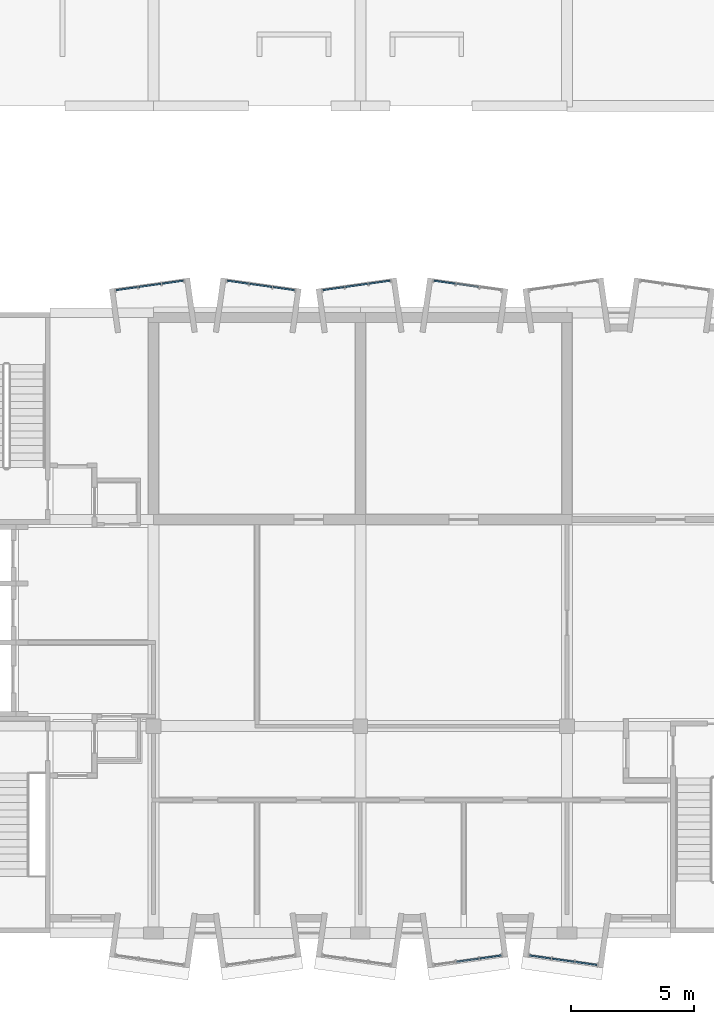
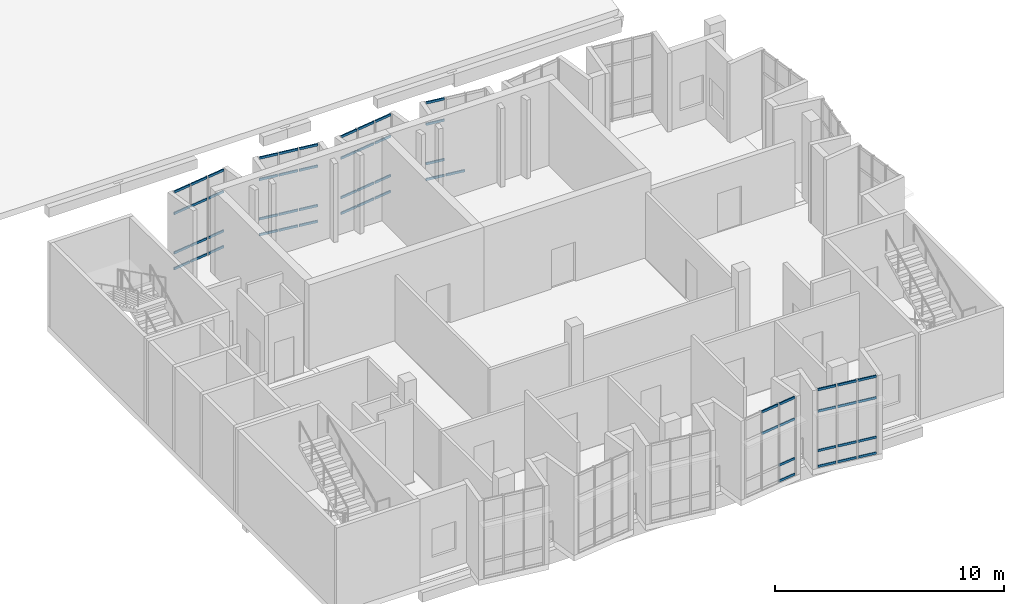
# One storey, part 6 of 19: 59 members, 6 elements without a shape of their own.
"""IFC4 building model written with IfcOpenShell, lengths in metres."""

from ifc_helpers import new_model, si_unit, direction, frame, origin, origin_2d, place, context, subcontext, project, spatial, rectangle, extrude, material, layer, layer_set, material_profile, profile_set, type_object, element, aggregate, save


model = new_model("IFC4")

# Units and contexts
model_context = context("Model", 3, precision=1e-05, world=origin(), true_north=direction((0.0, 1.0)))
body_context = subcontext(model_context, "Body", "Model", "MODEL_VIEW")
ifc_project = project(units=[si_unit("LENGTHUNIT", "METRE"), si_unit("AREAUNIT", "SQUARE_METRE"), si_unit("VOLUMEUNIT", "CUBIC_METRE"), si_unit("PLANEANGLEUNIT", "RADIAN"), si_unit("MASSUNIT", "GRAM", prefix="KILO")], contexts=[model_context])

# Site, building, storey
site_placement = place(None, origin())
site = spatial("IfcSite", under=ifc_project, at=site_placement, CompositionType="ELEMENT")
building_placement = place(site_placement, origin())
building = spatial("IfcBuilding", under=site, at=building_placement, Name="Kiln Court Media Centre", CompositionType="ELEMENT")
storey_placement = place(building_placement, frame((0.0, 0.0, 29.10009765625)))
storey = spatial("IfcBuildingStorey", under=building, at=storey_placement, Name="L06", CompositionType="ELEMENT", Elevation=29.10009765625)

# Curtain wall, members
ifc_material_1 = material(Name="Aluminium 6063-T6", Category="aluminium")
ifc_layer = layer(ifc_material_1, 0.1201171875)
ifc_layer_set = layer_set([ifc_layer], Name="Aluminium unitised bay curtain wall")
curtain_wall_type = type_object("IfcCurtainWallType", Name="Aluminium unitised bay curtain wall", PredefinedType="USERDEFINED", material=ifc_layer_set)
curtain_wall_1_placement = place(storey_placement, origin())
curtain_wall_1 = element("IfcCurtainWall", 1, at=curtain_wall_1_placement, inside=storey, type_object=curtain_wall_type, Name="BAY V6A-N-L06-38 front", ObjectType="UNITISED CURTAIN WALL", PredefinedType="USERDEFINED")
ifc_material_2 = material(Name="Aluminium 6063-T6", Category="aluminium")
ifc_material_profile = material_profile(ifc_material_2, rectangle(XDim=0.06005859375, YDim=0.1201171875, at=origin_2d()), Name="Aluminium transom 60x120")
ifc_profile_set = profile_set([ifc_material_profile], Name="Aluminium 6063-T6")
member_type = type_object("IfcMemberType", Name="Aluminium transom 60x120", PredefinedType="USERDEFINED", material=ifc_profile_set)
member_1_placement = place(storey_placement, frame((6.882568359375, 26.11767578125, 0.059814453125), z_axis=(0.990268108888, 0.139172815303, 0.0), x_axis=(-0.139172815303, 0.990268108888, 0.0)))
member_1 = element("IfcMember", 2, at=member_1_placement, type_object=member_type, Name="CW6-04 transom 1.1", ObjectType="TRANSOM", PredefinedType="USERDEFINED", context=body_context, shape_type="SweptSolid", body=[
    extrude(rectangle(XDim=0.06005859375, YDim=0.1201171875, at=origin_2d()), origin(), (0.0, 0.0, 1.0), 0.86669921875),
])
member_2_placement = place(storey_placement, frame((6.882568359375, 26.11767578125, 0.89990234375), z_axis=(0.990268108888, 0.139172815303, 0.0), x_axis=(-0.139172815303, 0.990268108888, 0.0)))
member_2 = element("IfcMember", 3, at=member_2_placement, type_object=member_type, Name="CW6-04 transom 1.2", ObjectType="TRANSOM", PredefinedType="USERDEFINED", context=body_context, shape_type="SweptSolid", body=[
    extrude(rectangle(XDim=0.06005859375, YDim=0.1201171875, at=origin_2d()), origin(), (0.0, 0.0, 1.0), 0.86669921875),
])
member_3_placement = place(storey_placement, frame((6.882568359375, 26.11767578125, 3.0), z_axis=(0.990268108888, 0.139172815303, 0.0), x_axis=(-0.139172815303, 0.990268108888, 0.0)))
member_3 = element("IfcMember", 4, at=member_3_placement, type_object=member_type, Name="CW6-04 transom 1.3", ObjectType="TRANSOM", PredefinedType="USERDEFINED", context=body_context, shape_type="SweptSolid", body=[
    extrude(rectangle(XDim=0.06005859375, YDim=0.1201171875, at=origin_2d()), origin(), (0.0, 0.0, 1.0), 0.86669921875),
])
member_4_placement = place(storey_placement, frame((6.882568359375, 26.11767578125, 4.139892578125), z_axis=(0.990268108888, 0.139172815303, 0.0), x_axis=(-0.139172815303, 0.990268108888, 0.0)))
member_4 = element("IfcMember", 5, at=member_4_placement, type_object=member_type, Name="CW6-04 transom 1.4", ObjectType="TRANSOM", PredefinedType="USERDEFINED", context=body_context, shape_type="SweptSolid", body=[
    extrude(rectangle(XDim=0.06005859375, YDim=0.1201171875, at=origin_2d()), origin(), (0.0, 0.0, 1.0), 0.86669921875),
])
member_5_placement = place(storey_placement, frame((7.80029296875, 26.246826171875, 0.059814453125), z_axis=(0.990273584723, 0.13913384707, 0.0), x_axis=(-0.13913384707, 0.990273584723, 0.0)))
member_5 = element("IfcMember", 6, at=member_5_placement, type_object=member_type, Name="CW6-04 transom 2.1", ObjectType="TRANSOM", PredefinedType="USERDEFINED", context=body_context, shape_type="SweptSolid", body=[
    extrude(rectangle(XDim=0.06005859375, YDim=0.1201171875, at=origin_2d()), origin(), (0.0, 0.0, 1.0), 0.896728515625),
])
member_6_placement = place(storey_placement, frame((7.80029296875, 26.246826171875, 0.89990234375), z_axis=(0.990273584723, 0.13913384707, 0.0), x_axis=(-0.13913384707, 0.990273584723, 0.0)))
member_6 = element("IfcMember", 7, at=member_6_placement, type_object=member_type, Name="CW6-04 transom 2.2", ObjectType="TRANSOM", PredefinedType="USERDEFINED", context=body_context, shape_type="SweptSolid", body=[
    extrude(rectangle(XDim=0.06005859375, YDim=0.1201171875, at=origin_2d()), origin(), (0.0, 0.0, 1.0), 0.896728515625),
])
member_7_placement = place(storey_placement, frame((7.80029296875, 26.246826171875, 3.0), z_axis=(0.990273584723, 0.13913384707, 0.0), x_axis=(-0.13913384707, 0.990273584723, 0.0)))
member_7 = element("IfcMember", 8, at=member_7_placement, type_object=member_type, Name="CW6-04 transom 2.3", ObjectType="TRANSOM", PredefinedType="USERDEFINED", context=body_context, shape_type="SweptSolid", body=[
    extrude(rectangle(XDim=0.06005859375, YDim=0.1201171875, at=origin_2d()), origin(), (0.0, 0.0, 1.0), 0.896728515625),
])
member_8_placement = place(storey_placement, frame((7.80029296875, 26.246826171875, 4.139892578125), z_axis=(0.990273584723, 0.13913384707, 0.0), x_axis=(-0.13913384707, 0.990273584723, 0.0)))
member_8 = element("IfcMember", 9, at=member_8_placement, type_object=member_type, Name="CW6-04 transom 2.4", ObjectType="TRANSOM", PredefinedType="USERDEFINED", context=body_context, shape_type="SweptSolid", body=[
    extrude(rectangle(XDim=0.06005859375, YDim=0.1201171875, at=origin_2d()), origin(), (0.0, 0.0, 1.0), 0.896728515625),
])
member_9_placement = place(storey_placement, frame((8.74755859375, 26.3798828125, 0.059814453125), z_axis=(0.990268108888, 0.139172815303, 0.0), x_axis=(-0.139172815303, 0.990268108888, 0.0)))
member_9 = element("IfcMember", 10, at=member_9_placement, type_object=member_type, Name="CW6-04 transom 3.1", ObjectType="TRANSOM", PredefinedType="USERDEFINED", context=body_context, shape_type="SweptSolid", body=[
    extrude(rectangle(XDim=0.06005859375, YDim=0.1201171875, at=origin_2d()), origin(), (0.0, 0.0, 1.0), 0.86669921875),
])
member_10_placement = place(storey_placement, frame((8.74755859375, 26.3798828125, 0.89990234375), z_axis=(0.990268108888, 0.139172815303, 0.0), x_axis=(-0.139172815303, 0.990268108888, 0.0)))
member_10 = element("IfcMember", 11, at=member_10_placement, type_object=member_type, Name="CW6-04 transom 3.2", ObjectType="TRANSOM", PredefinedType="USERDEFINED", context=body_context, shape_type="SweptSolid", body=[
    extrude(rectangle(XDim=0.06005859375, YDim=0.1201171875, at=origin_2d()), origin(), (0.0, 0.0, 1.0), 0.86669921875),
])
member_11_placement = place(storey_placement, frame((8.74755859375, 26.3798828125, 3.0), z_axis=(0.990268108888, 0.139172815303, 0.0), x_axis=(-0.139172815303, 0.990268108888, 0.0)))
member_11 = element("IfcMember", 12, at=member_11_placement, type_object=member_type, Name="CW6-04 transom 3.3", ObjectType="TRANSOM", PredefinedType="USERDEFINED", context=body_context, shape_type="SweptSolid", body=[
    extrude(rectangle(XDim=0.06005859375, YDim=0.1201171875, at=origin_2d()), origin(), (0.0, 0.0, 1.0), 0.86669921875),
])
member_12_placement = place(storey_placement, frame((8.74755859375, 26.3798828125, 4.139892578125), z_axis=(0.990268108888, 0.139172815303, 0.0), x_axis=(-0.139172815303, 0.990268108888, 0.0)))
member_12 = element("IfcMember", 13, at=member_12_placement, type_object=member_type, Name="CW6-04 transom 3.4", ObjectType="TRANSOM", PredefinedType="USERDEFINED", context=body_context, shape_type="SweptSolid", body=[
    extrude(rectangle(XDim=0.06005859375, YDim=0.1201171875, at=origin_2d()), origin(), (0.0, 0.0, 1.0), 0.86669921875),
])
aggregate(curtain_wall_1, [member_1, member_2, member_3, member_4, member_5, member_6, member_7, member_8, member_9, member_10, member_11, member_12])

curtain_wall_2_placement = place(storey_placement, origin())
curtain_wall_2 = element("IfcCurtainWall", 14, at=curtain_wall_2_placement, inside=storey, type_object=curtain_wall_type, Name="BAY V6A-N-L06-39 front", ObjectType="UNITISED CURTAIN WALL", PredefinedType="USERDEFINED")
member_13_placement = place(storey_placement, frame((11.394287109375, 26.50048828125, 0.059814453125), z_axis=(0.990268108888, -0.139172815303, 0.0), x_axis=(0.139172815303, 0.990268108888, 0.0)))
member_13 = element("IfcMember", 15, at=member_13_placement, type_object=member_type, Name="CW6-05 transom 1.1", ObjectType="TRANSOM", PredefinedType="USERDEFINED", context=body_context, shape_type="SweptSolid", body=[
    extrude(rectangle(XDim=0.06005859375, YDim=0.1201171875, at=origin_2d()), origin(), (0.0, 0.0, 1.0), 0.86669921875),
])
member_14_placement = place(storey_placement, frame((11.394287109375, 26.50048828125, 0.89990234375), z_axis=(0.990268108888, -0.139172815303, 0.0), x_axis=(0.139172815303, 0.990268108888, 0.0)))
member_14 = element("IfcMember", 16, at=member_14_placement, type_object=member_type, Name="CW6-05 transom 1.2", ObjectType="TRANSOM", PredefinedType="USERDEFINED", context=body_context, shape_type="SweptSolid", body=[
    extrude(rectangle(XDim=0.06005859375, YDim=0.1201171875, at=origin_2d()), origin(), (0.0, 0.0, 1.0), 0.86669921875),
])
member_15_placement = place(storey_placement, frame((11.394287109375, 26.50048828125, 3.0), z_axis=(0.990268108888, -0.139172815303, 0.0), x_axis=(0.139172815303, 0.990268108888, 0.0)))
member_15 = element("IfcMember", 17, at=member_15_placement, type_object=member_type, Name="CW6-05 transom 1.3", ObjectType="TRANSOM", PredefinedType="USERDEFINED", context=body_context, shape_type="SweptSolid", body=[
    extrude(rectangle(XDim=0.06005859375, YDim=0.1201171875, at=origin_2d()), origin(), (0.0, 0.0, 1.0), 0.86669921875),
])
member_16_placement = place(storey_placement, frame((11.394287109375, 26.50048828125, 4.139892578125), z_axis=(0.990268108888, -0.139172815303, 0.0), x_axis=(0.139172815303, 0.990268108888, 0.0)))
member_16 = element("IfcMember", 18, at=member_16_placement, type_object=member_type, Name="CW6-05 transom 1.4", ObjectType="TRANSOM", PredefinedType="USERDEFINED", context=body_context, shape_type="SweptSolid", body=[
    extrude(rectangle(XDim=0.06005859375, YDim=0.1201171875, at=origin_2d()), origin(), (0.0, 0.0, 1.0), 0.86669921875),
])
member_17_placement = place(storey_placement, frame((12.311767578125, 26.37158203125, 0.059814453125), z_axis=(0.990273584723, -0.13913384707, 0.0), x_axis=(0.13913384707, 0.990273584723, 0.0)))
member_17 = element("IfcMember", 19, at=member_17_placement, type_object=member_type, Name="CW6-05 transom 2.1", ObjectType="TRANSOM", PredefinedType="USERDEFINED", context=body_context, shape_type="SweptSolid", body=[
    extrude(rectangle(XDim=0.06005859375, YDim=0.1201171875, at=origin_2d()), origin(), (0.0, 0.0, 1.0), 0.896728515625),
])
member_18_placement = place(storey_placement, frame((12.311767578125, 26.37158203125, 0.89990234375), z_axis=(0.990273584723, -0.13913384707, 0.0), x_axis=(0.13913384707, 0.990273584723, 0.0)))
member_18 = element("IfcMember", 20, at=member_18_placement, type_object=member_type, Name="CW6-05 transom 2.2", ObjectType="TRANSOM", PredefinedType="USERDEFINED", context=body_context, shape_type="SweptSolid", body=[
    extrude(rectangle(XDim=0.06005859375, YDim=0.1201171875, at=origin_2d()), origin(), (0.0, 0.0, 1.0), 0.896728515625),
])
member_19_placement = place(storey_placement, frame((12.311767578125, 26.37158203125, 3.0), z_axis=(0.990273584723, -0.13913384707, 0.0), x_axis=(0.13913384707, 0.990273584723, 0.0)))
member_19 = element("IfcMember", 21, at=member_19_placement, type_object=member_type, Name="CW6-05 transom 2.3", ObjectType="TRANSOM", PredefinedType="USERDEFINED", context=body_context, shape_type="SweptSolid", body=[
    extrude(rectangle(XDim=0.06005859375, YDim=0.1201171875, at=origin_2d()), origin(), (0.0, 0.0, 1.0), 0.896728515625),
])
member_20_placement = place(storey_placement, frame((12.311767578125, 26.37158203125, 4.139892578125), z_axis=(0.990273584723, -0.13913384707, 0.0), x_axis=(0.13913384707, 0.990273584723, 0.0)))
member_20 = element("IfcMember", 22, at=member_20_placement, type_object=member_type, Name="CW6-05 transom 2.4", ObjectType="TRANSOM", PredefinedType="USERDEFINED", context=body_context, shape_type="SweptSolid", body=[
    extrude(rectangle(XDim=0.06005859375, YDim=0.1201171875, at=origin_2d()), origin(), (0.0, 0.0, 1.0), 0.896728515625),
])
member_21_placement = place(storey_placement, frame((13.25927734375, 26.23828125, 0.059814453125), z_axis=(0.990268108888, -0.139172815303, 0.0), x_axis=(0.139172815303, 0.990268108888, 0.0)))
member_21 = element("IfcMember", 23, at=member_21_placement, type_object=member_type, Name="CW6-05 transom 3.1", ObjectType="TRANSOM", PredefinedType="USERDEFINED", context=body_context, shape_type="SweptSolid", body=[
    extrude(rectangle(XDim=0.06005859375, YDim=0.1201171875, at=origin_2d()), origin(), (0.0, 0.0, 1.0), 0.86669921875),
])
member_22_placement = place(storey_placement, frame((13.25927734375, 26.23828125, 0.89990234375), z_axis=(0.990268108888, -0.139172815303, 0.0), x_axis=(0.139172815303, 0.990268108888, 0.0)))
member_22 = element("IfcMember", 24, at=member_22_placement, type_object=member_type, Name="CW6-05 transom 3.2", ObjectType="TRANSOM", PredefinedType="USERDEFINED", context=body_context, shape_type="SweptSolid", body=[
    extrude(rectangle(XDim=0.06005859375, YDim=0.1201171875, at=origin_2d()), origin(), (0.0, 0.0, 1.0), 0.86669921875),
])
member_23_placement = place(storey_placement, frame((13.25927734375, 26.23828125, 3.0), z_axis=(0.990268108888, -0.139172815303, 0.0), x_axis=(0.139172815303, 0.990268108888, 0.0)))
member_23 = element("IfcMember", 25, at=member_23_placement, type_object=member_type, Name="CW6-05 transom 3.3", ObjectType="TRANSOM", PredefinedType="USERDEFINED", context=body_context, shape_type="SweptSolid", body=[
    extrude(rectangle(XDim=0.06005859375, YDim=0.1201171875, at=origin_2d()), origin(), (0.0, 0.0, 1.0), 0.86669921875),
])
member_24_placement = place(storey_placement, frame((13.25927734375, 26.23828125, 4.139892578125), z_axis=(0.990268108888, -0.139172815303, 0.0), x_axis=(0.139172815303, 0.990268108888, 0.0)))
member_24 = element("IfcMember", 26, at=member_24_placement, type_object=member_type, Name="CW6-05 transom 3.4", ObjectType="TRANSOM", PredefinedType="USERDEFINED", context=body_context, shape_type="SweptSolid", body=[
    extrude(rectangle(XDim=0.06005859375, YDim=0.1201171875, at=origin_2d()), origin(), (0.0, 0.0, 1.0), 0.86669921875),
])
aggregate(curtain_wall_2, [member_13, member_14, member_15, member_16, member_17, member_18, member_19, member_20, member_21, member_22, member_23, member_24])

curtain_wall_3_placement = place(storey_placement, origin())
curtain_wall_3 = element("IfcCurtainWall", 27, at=curtain_wall_3_placement, inside=storey, type_object=curtain_wall_type, Name="BAY V6A-N-L06-40 front", ObjectType="UNITISED CURTAIN WALL", PredefinedType="USERDEFINED")
member_25_placement = place(storey_placement, frame((15.282470703125, 26.11767578125, 0.059814453125), z_axis=(0.990273563383, 0.139133998951, 0.0), x_axis=(-0.139133998951, 0.990273563383, 0.0)))
member_25 = element("IfcMember", 28, at=member_25_placement, type_object=member_type, Name="CW6-06 transom 1.1", ObjectType="TRANSOM", PredefinedType="USERDEFINED", context=body_context, shape_type="SweptSolid", body=[
    extrude(rectangle(XDim=0.06005859375, YDim=0.1201171875, at=origin_2d()), origin(), (0.0, 0.0, 1.0), 0.866943359375),
])
member_26_placement = place(storey_placement, frame((15.282470703125, 26.11767578125, 0.89990234375), z_axis=(0.990273563383, 0.139133998951, 0.0), x_axis=(-0.139133998951, 0.990273563383, 0.0)))
member_26 = element("IfcMember", 29, at=member_26_placement, type_object=member_type, Name="CW6-06 transom 1.2", ObjectType="TRANSOM", PredefinedType="USERDEFINED", context=body_context, shape_type="SweptSolid", body=[
    extrude(rectangle(XDim=0.06005859375, YDim=0.1201171875, at=origin_2d()), origin(), (0.0, 0.0, 1.0), 0.866943359375),
])
member_27_placement = place(storey_placement, frame((15.282470703125, 26.11767578125, 3.0), z_axis=(0.990273563383, 0.139133998951, 0.0), x_axis=(-0.139133998951, 0.990273563383, 0.0)))
member_27 = element("IfcMember", 30, at=member_27_placement, type_object=member_type, Name="CW6-06 transom 1.3", ObjectType="TRANSOM", PredefinedType="USERDEFINED", context=body_context, shape_type="SweptSolid", body=[
    extrude(rectangle(XDim=0.06005859375, YDim=0.1201171875, at=origin_2d()), origin(), (0.0, 0.0, 1.0), 0.866943359375),
])
member_28_placement = place(storey_placement, frame((15.282470703125, 26.11767578125, 4.139892578125), z_axis=(0.990273563383, 0.139133998951, 0.0), x_axis=(-0.139133998951, 0.990273563383, 0.0)))
member_28 = element("IfcMember", 31, at=member_28_placement, type_object=member_type, Name="CW6-06 transom 1.4", ObjectType="TRANSOM", PredefinedType="USERDEFINED", context=body_context, shape_type="SweptSolid", body=[
    extrude(rectangle(XDim=0.06005859375, YDim=0.1201171875, at=origin_2d()), origin(), (0.0, 0.0, 1.0), 0.866943359375),
])
member_29_placement = place(storey_placement, frame((16.2001953125, 26.246826171875, 0.059814453125), z_axis=(0.990273584723, 0.13913384707, 0.0), x_axis=(-0.13913384707, 0.990273584723, 0.0)))
member_29 = element("IfcMember", 32, at=member_29_placement, type_object=member_type, Name="CW6-06 transom 2.1", ObjectType="TRANSOM", PredefinedType="USERDEFINED", context=body_context, shape_type="SweptSolid", body=[
    extrude(rectangle(XDim=0.06005859375, YDim=0.1201171875, at=origin_2d()), origin(), (0.0, 0.0, 1.0), 0.896728515625),
])
member_30_placement = place(storey_placement, frame((16.2001953125, 26.246826171875, 0.89990234375), z_axis=(0.990273584723, 0.13913384707, 0.0), x_axis=(-0.13913384707, 0.990273584723, 0.0)))
member_30 = element("IfcMember", 33, at=member_30_placement, type_object=member_type, Name="CW6-06 transom 2.2", ObjectType="TRANSOM", PredefinedType="USERDEFINED", context=body_context, shape_type="SweptSolid", body=[
    extrude(rectangle(XDim=0.06005859375, YDim=0.1201171875, at=origin_2d()), origin(), (0.0, 0.0, 1.0), 0.896728515625),
])
member_31_placement = place(storey_placement, frame((16.2001953125, 26.246826171875, 3.0), z_axis=(0.990273584723, 0.13913384707, 0.0), x_axis=(-0.13913384707, 0.990273584723, 0.0)))
member_31 = element("IfcMember", 34, at=member_31_placement, type_object=member_type, Name="CW6-06 transom 2.3", ObjectType="TRANSOM", PredefinedType="USERDEFINED", context=body_context, shape_type="SweptSolid", body=[
    extrude(rectangle(XDim=0.06005859375, YDim=0.1201171875, at=origin_2d()), origin(), (0.0, 0.0, 1.0), 0.896728515625),
])
member_32_placement = place(storey_placement, frame((16.2001953125, 26.246826171875, 4.139892578125), z_axis=(0.990273584723, 0.13913384707, 0.0), x_axis=(-0.13913384707, 0.990273584723, 0.0)))
member_32 = element("IfcMember", 35, at=member_32_placement, type_object=member_type, Name="CW6-06 transom 2.4", ObjectType="TRANSOM", PredefinedType="USERDEFINED", context=body_context, shape_type="SweptSolid", body=[
    extrude(rectangle(XDim=0.06005859375, YDim=0.1201171875, at=origin_2d()), origin(), (0.0, 0.0, 1.0), 0.896728515625),
])
member_33_placement = place(storey_placement, frame((17.1474609375, 26.3798828125, 0.059814453125), z_axis=(0.990273563383, 0.139133998951, 0.0), x_axis=(-0.139133998951, 0.990273563383, 0.0)))
member_33 = element("IfcMember", 36, at=member_33_placement, type_object=member_type, Name="CW6-06 transom 3.1", ObjectType="TRANSOM", PredefinedType="USERDEFINED", context=body_context, shape_type="SweptSolid", body=[
    extrude(rectangle(XDim=0.06005859375, YDim=0.1201171875, at=origin_2d()), origin(), (0.0, 0.0, 1.0), 0.866943359375),
])
member_34_placement = place(storey_placement, frame((17.1474609375, 26.3798828125, 0.89990234375), z_axis=(0.990273563383, 0.139133998951, 0.0), x_axis=(-0.139133998951, 0.990273563383, 0.0)))
member_34 = element("IfcMember", 37, at=member_34_placement, type_object=member_type, Name="CW6-06 transom 3.2", ObjectType="TRANSOM", PredefinedType="USERDEFINED", context=body_context, shape_type="SweptSolid", body=[
    extrude(rectangle(XDim=0.06005859375, YDim=0.1201171875, at=origin_2d()), origin(), (0.0, 0.0, 1.0), 0.866943359375),
])
member_35_placement = place(storey_placement, frame((17.1474609375, 26.3798828125, 3.0), z_axis=(0.990273563383, 0.139133998951, 0.0), x_axis=(-0.139133998951, 0.990273563383, 0.0)))
member_35 = element("IfcMember", 38, at=member_35_placement, type_object=member_type, Name="CW6-06 transom 3.3", ObjectType="TRANSOM", PredefinedType="USERDEFINED", context=body_context, shape_type="SweptSolid", body=[
    extrude(rectangle(XDim=0.06005859375, YDim=0.1201171875, at=origin_2d()), origin(), (0.0, 0.0, 1.0), 0.866943359375),
])
member_36_placement = place(storey_placement, frame((17.1474609375, 26.3798828125, 4.139892578125), z_axis=(0.990273563383, 0.139133998951, 0.0), x_axis=(-0.139133998951, 0.990273563383, 0.0)))
member_36 = element("IfcMember", 39, at=member_36_placement, type_object=member_type, Name="CW6-06 transom 3.4", ObjectType="TRANSOM", PredefinedType="USERDEFINED", context=body_context, shape_type="SweptSolid", body=[
    extrude(rectangle(XDim=0.06005859375, YDim=0.1201171875, at=origin_2d()), origin(), (0.0, 0.0, 1.0), 0.866943359375),
])
aggregate(curtain_wall_3, [member_25, member_26, member_27, member_28, member_29, member_30, member_31, member_32, member_33, member_34, member_35, member_36])

curtain_wall_4_placement = place(storey_placement, origin())
curtain_wall_4 = element("IfcCurtainWall", 40, at=curtain_wall_4_placement, inside=storey, type_object=curtain_wall_type, Name="BAY V6A-N-L06-41 front", ObjectType="UNITISED CURTAIN WALL", PredefinedType="USERDEFINED")
member_37_placement = place(storey_placement, frame((19.794189453125, 26.50048828125, 0.059814453125), z_axis=(0.990268108888, -0.139172815303, 0.0), x_axis=(0.139172815303, 0.990268108888, 0.0)))
member_37 = element("IfcMember", 41, at=member_37_placement, type_object=member_type, Name="CW6-07 transom 1.1", ObjectType="TRANSOM", PredefinedType="USERDEFINED", context=body_context, shape_type="SweptSolid", body=[
    extrude(rectangle(XDim=0.06005859375, YDim=0.1201171875, at=origin_2d()), origin(), (0.0, 0.0, 1.0), 0.86669921875),
])
member_38_placement = place(storey_placement, frame((19.794189453125, 26.50048828125, 0.89990234375), z_axis=(0.990268108888, -0.139172815303, 0.0), x_axis=(0.139172815303, 0.990268108888, 0.0)))
member_38 = element("IfcMember", 42, at=member_38_placement, type_object=member_type, Name="CW6-07 transom 1.2", ObjectType="TRANSOM", PredefinedType="USERDEFINED", context=body_context, shape_type="SweptSolid", body=[
    extrude(rectangle(XDim=0.06005859375, YDim=0.1201171875, at=origin_2d()), origin(), (0.0, 0.0, 1.0), 0.86669921875),
])
member_39_placement = place(storey_placement, frame((19.794189453125, 26.50048828125, 3.0), z_axis=(0.990268108888, -0.139172815303, 0.0), x_axis=(0.139172815303, 0.990268108888, 0.0)))
member_39 = element("IfcMember", 43, at=member_39_placement, type_object=member_type, Name="CW6-07 transom 1.3", ObjectType="TRANSOM", PredefinedType="USERDEFINED", context=body_context, shape_type="SweptSolid", body=[
    extrude(rectangle(XDim=0.06005859375, YDim=0.1201171875, at=origin_2d()), origin(), (0.0, 0.0, 1.0), 0.86669921875),
])
member_40_placement = place(storey_placement, frame((19.794189453125, 26.50048828125, 4.139892578125), z_axis=(0.990268108888, -0.139172815303, 0.0), x_axis=(0.139172815303, 0.990268108888, 0.0)))
member_40 = element("IfcMember", 44, at=member_40_placement, type_object=member_type, Name="CW6-07 transom 1.4", ObjectType="TRANSOM", PredefinedType="USERDEFINED", context=body_context, shape_type="SweptSolid", body=[
    extrude(rectangle(XDim=0.06005859375, YDim=0.1201171875, at=origin_2d()), origin(), (0.0, 0.0, 1.0), 0.86669921875),
])
member_41_placement = place(storey_placement, frame((20.7119140625, 26.37158203125, 0.059814453125), z_axis=(0.990273584723, -0.13913384707, 0.0), x_axis=(0.13913384707, 0.990273584723, 0.0)))
member_41 = element("IfcMember", 45, at=member_41_placement, type_object=member_type, Name="CW6-07 transom 2.1", ObjectType="TRANSOM", PredefinedType="USERDEFINED", context=body_context, shape_type="SweptSolid", body=[
    extrude(rectangle(XDim=0.06005859375, YDim=0.1201171875, at=origin_2d()), origin(), (0.0, 0.0, 1.0), 0.896728515625),
])
aggregate(curtain_wall_4, [member_37, member_38, member_39, member_40, member_41])

curtain_wall_5_placement = place(storey_placement, origin())
curtain_wall_5 = element("IfcCurtainWall", 46, at=curtain_wall_5_placement, inside=storey, type_object=curtain_wall_type, Name="BAY V6A-S-L06-43 front", ObjectType="UNITISED CURTAIN WALL", PredefinedType="USERDEFINED")
member_42_placement = place(storey_placement, frame((20.7119140625, -1.17138671875, 3.0), z_axis=(0.990273584723, 0.13913384707, 0.0), x_axis=(-0.13913384707, 0.990273584723, 0.0)))
member_42 = element("IfcMember", 47, at=member_42_placement, type_object=member_type, Name="CW6-13 transom 2.3", ObjectType="TRANSOM", PredefinedType="USERDEFINED", context=body_context, shape_type="SweptSolid", body=[
    extrude(rectangle(XDim=0.06005859375, YDim=0.1201171875, at=origin_2d()), origin(), (0.0, 0.0, 1.0), 0.896728515625),
])
member_43_placement = place(storey_placement, frame((20.7119140625, -1.17138671875, 4.139892578125), z_axis=(0.990273584723, 0.13913384707, 0.0), x_axis=(-0.13913384707, 0.990273584723, 0.0)))
member_43 = element("IfcMember", 48, at=member_43_placement, type_object=member_type, Name="CW6-13 transom 2.4", ObjectType="TRANSOM", PredefinedType="USERDEFINED", context=body_context, shape_type="SweptSolid", body=[
    extrude(rectangle(XDim=0.06005859375, YDim=0.1201171875, at=origin_2d()), origin(), (0.0, 0.0, 1.0), 0.896728515625),
])
member_44_placement = place(storey_placement, frame((21.6591796875, -1.038330078125, 0.059814453125), z_axis=(0.990273563383, 0.139133998951, 0.0), x_axis=(-0.139133998951, 0.990273563383, 0.0)))
member_44 = element("IfcMember", 49, at=member_44_placement, type_object=member_type, Name="CW6-13 transom 3.1", ObjectType="TRANSOM", PredefinedType="USERDEFINED", context=body_context, shape_type="SweptSolid", body=[
    extrude(rectangle(XDim=0.06005859375, YDim=0.1201171875, at=origin_2d()), origin(), (0.0, 0.0, 1.0), 0.866943359375),
])
member_45_placement = place(storey_placement, frame((21.6591796875, -1.038330078125, 0.89990234375), z_axis=(0.990273563383, 0.139133998951, 0.0), x_axis=(-0.139133998951, 0.990273563383, 0.0)))
member_45 = element("IfcMember", 50, at=member_45_placement, type_object=member_type, Name="CW6-13 transom 3.2", ObjectType="TRANSOM", PredefinedType="USERDEFINED", context=body_context, shape_type="SweptSolid", body=[
    extrude(rectangle(XDim=0.06005859375, YDim=0.1201171875, at=origin_2d()), origin(), (0.0, 0.0, 1.0), 0.866943359375),
])
member_46_placement = place(storey_placement, frame((21.6591796875, -1.038330078125, 3.0), z_axis=(0.990273563383, 0.139133998951, 0.0), x_axis=(-0.139133998951, 0.990273563383, 0.0)))
member_46 = element("IfcMember", 51, at=member_46_placement, type_object=member_type, Name="CW6-13 transom 3.3", ObjectType="TRANSOM", PredefinedType="USERDEFINED", context=body_context, shape_type="SweptSolid", body=[
    extrude(rectangle(XDim=0.06005859375, YDim=0.1201171875, at=origin_2d()), origin(), (0.0, 0.0, 1.0), 0.866943359375),
])
member_47_placement = place(storey_placement, frame((21.6591796875, -1.038330078125, 4.139892578125), z_axis=(0.990273563383, 0.139133998951, 0.0), x_axis=(-0.139133998951, 0.990273563383, 0.0)))
member_47 = element("IfcMember", 52, at=member_47_placement, type_object=member_type, Name="CW6-13 transom 3.4", ObjectType="TRANSOM", PredefinedType="USERDEFINED", context=body_context, shape_type="SweptSolid", body=[
    extrude(rectangle(XDim=0.06005859375, YDim=0.1201171875, at=origin_2d()), origin(), (0.0, 0.0, 1.0), 0.866943359375),
])
aggregate(curtain_wall_5, [member_42, member_43, member_44, member_45, member_46, member_47])

curtain_wall_6_placement = place(storey_placement, origin())
curtain_wall_6 = element("IfcCurtainWall", 53, at=curtain_wall_6_placement, inside=storey, type_object=curtain_wall_type, Name="BAY V6A-S-L06-44 front", ObjectType="UNITISED CURTAIN WALL", PredefinedType="USERDEFINED")
member_48_placement = place(storey_placement, frame((23.6826171875, -0.917724609375, 0.059814453125), z_axis=(0.990268108888, -0.139172815303, 0.0), x_axis=(0.139172815303, 0.990268108888, 0.0)))
member_48 = element("IfcMember", 54, at=member_48_placement, type_object=member_type, Name="CW6-14 transom 1.1", ObjectType="TRANSOM", PredefinedType="USERDEFINED", context=body_context, shape_type="SweptSolid", body=[
    extrude(rectangle(XDim=0.06005859375, YDim=0.1201171875, at=origin_2d()), origin(), (0.0, 0.0, 1.0), 0.86669921875),
])
member_49_placement = place(storey_placement, frame((23.6826171875, -0.917724609375, 0.89990234375), z_axis=(0.990268108888, -0.139172815303, 0.0), x_axis=(0.139172815303, 0.990268108888, 0.0)))
member_49 = element("IfcMember", 55, at=member_49_placement, type_object=member_type, Name="CW6-14 transom 1.2", ObjectType="TRANSOM", PredefinedType="USERDEFINED", context=body_context, shape_type="SweptSolid", body=[
    extrude(rectangle(XDim=0.06005859375, YDim=0.1201171875, at=origin_2d()), origin(), (0.0, 0.0, 1.0), 0.86669921875),
])
member_50_placement = place(storey_placement, frame((23.6826171875, -0.917724609375, 3.0), z_axis=(0.990268108888, -0.139172815303, 0.0), x_axis=(0.139172815303, 0.990268108888, 0.0)))
member_50 = element("IfcMember", 56, at=member_50_placement, type_object=member_type, Name="CW6-14 transom 1.3", ObjectType="TRANSOM", PredefinedType="USERDEFINED", context=body_context, shape_type="SweptSolid", body=[
    extrude(rectangle(XDim=0.06005859375, YDim=0.1201171875, at=origin_2d()), origin(), (0.0, 0.0, 1.0), 0.86669921875),
])
member_51_placement = place(storey_placement, frame((23.6826171875, -0.917724609375, 4.139892578125), z_axis=(0.990268108888, -0.139172815303, 0.0), x_axis=(0.139172815303, 0.990268108888, 0.0)))
member_51 = element("IfcMember", 57, at=member_51_placement, type_object=member_type, Name="CW6-14 transom 1.4", ObjectType="TRANSOM", PredefinedType="USERDEFINED", context=body_context, shape_type="SweptSolid", body=[
    extrude(rectangle(XDim=0.06005859375, YDim=0.1201171875, at=origin_2d()), origin(), (0.0, 0.0, 1.0), 0.86669921875),
])
member_52_placement = place(storey_placement, frame((24.60009765625, -1.046630859375, 0.059814453125), z_axis=(0.990273584723, -0.13913384707, 0.0), x_axis=(0.13913384707, 0.990273584723, 0.0)))
member_52 = element("IfcMember", 58, at=member_52_placement, type_object=member_type, Name="CW6-14 transom 2.1", ObjectType="TRANSOM", PredefinedType="USERDEFINED", context=body_context, shape_type="SweptSolid", body=[
    extrude(rectangle(XDim=0.06005859375, YDim=0.1201171875, at=origin_2d()), origin(), (0.0, 0.0, 1.0), 0.896728515625),
])
member_53_placement = place(storey_placement, frame((24.60009765625, -1.046630859375, 0.89990234375), z_axis=(0.990273584723, -0.13913384707, 0.0), x_axis=(0.13913384707, 0.990273584723, 0.0)))
member_53 = element("IfcMember", 59, at=member_53_placement, type_object=member_type, Name="CW6-14 transom 2.2", ObjectType="TRANSOM", PredefinedType="USERDEFINED", context=body_context, shape_type="SweptSolid", body=[
    extrude(rectangle(XDim=0.06005859375, YDim=0.1201171875, at=origin_2d()), origin(), (0.0, 0.0, 1.0), 0.896728515625),
])
member_54_placement = place(storey_placement, frame((24.60009765625, -1.046630859375, 3.0), z_axis=(0.990273584723, -0.13913384707, 0.0), x_axis=(0.13913384707, 0.990273584723, 0.0)))
member_54 = element("IfcMember", 60, at=member_54_placement, type_object=member_type, Name="CW6-14 transom 2.3", ObjectType="TRANSOM", PredefinedType="USERDEFINED", context=body_context, shape_type="SweptSolid", body=[
    extrude(rectangle(XDim=0.06005859375, YDim=0.1201171875, at=origin_2d()), origin(), (0.0, 0.0, 1.0), 0.896728515625),
])
member_55_placement = place(storey_placement, frame((24.60009765625, -1.046630859375, 4.139892578125), z_axis=(0.990273584723, -0.13913384707, 0.0), x_axis=(0.13913384707, 0.990273584723, 0.0)))
member_55 = element("IfcMember", 61, at=member_55_placement, type_object=member_type, Name="CW6-14 transom 2.4", ObjectType="TRANSOM", PredefinedType="USERDEFINED", context=body_context, shape_type="SweptSolid", body=[
    extrude(rectangle(XDim=0.06005859375, YDim=0.1201171875, at=origin_2d()), origin(), (0.0, 0.0, 1.0), 0.896728515625),
])
member_56_placement = place(storey_placement, frame((25.547607421875, -1.179931640625, 0.059814453125), z_axis=(0.990268108888, -0.139172815303, 0.0), x_axis=(0.139172815303, 0.990268108888, 0.0)))
member_56 = element("IfcMember", 62, at=member_56_placement, type_object=member_type, Name="CW6-14 transom 3.1", ObjectType="TRANSOM", PredefinedType="USERDEFINED", context=body_context, shape_type="SweptSolid", body=[
    extrude(rectangle(XDim=0.06005859375, YDim=0.1201171875, at=origin_2d()), origin(), (0.0, 0.0, 1.0), 0.86669921875),
])
member_57_placement = place(storey_placement, frame((25.547607421875, -1.179931640625, 0.89990234375), z_axis=(0.990268108888, -0.139172815303, 0.0), x_axis=(0.139172815303, 0.990268108888, 0.0)))
member_57 = element("IfcMember", 63, at=member_57_placement, type_object=member_type, Name="CW6-14 transom 3.2", ObjectType="TRANSOM", PredefinedType="USERDEFINED", context=body_context, shape_type="SweptSolid", body=[
    extrude(rectangle(XDim=0.06005859375, YDim=0.1201171875, at=origin_2d()), origin(), (0.0, 0.0, 1.0), 0.86669921875),
])
member_58_placement = place(storey_placement, frame((25.547607421875, -1.179931640625, 3.0), z_axis=(0.990268108888, -0.139172815303, 0.0), x_axis=(0.139172815303, 0.990268108888, 0.0)))
member_58 = element("IfcMember", 64, at=member_58_placement, type_object=member_type, Name="CW6-14 transom 3.3", ObjectType="TRANSOM", PredefinedType="USERDEFINED", context=body_context, shape_type="SweptSolid", body=[
    extrude(rectangle(XDim=0.06005859375, YDim=0.1201171875, at=origin_2d()), origin(), (0.0, 0.0, 1.0), 0.86669921875),
])
member_59_placement = place(storey_placement, frame((25.547607421875, -1.179931640625, 4.139892578125), z_axis=(0.990268108888, -0.139172815303, 0.0), x_axis=(0.139172815303, 0.990268108888, 0.0)))
member_59 = element("IfcMember", 65, at=member_59_placement, type_object=member_type, Name="CW6-14 transom 3.4", ObjectType="TRANSOM", PredefinedType="USERDEFINED", context=body_context, shape_type="SweptSolid", body=[
    extrude(rectangle(XDim=0.06005859375, YDim=0.1201171875, at=origin_2d()), origin(), (0.0, 0.0, 1.0), 0.86669921875),
])
aggregate(curtain_wall_6, [member_48, member_49, member_50, member_51, member_52, member_53, member_54, member_55, member_56, member_57, member_58, member_59])

save(model, "model.ifc")
